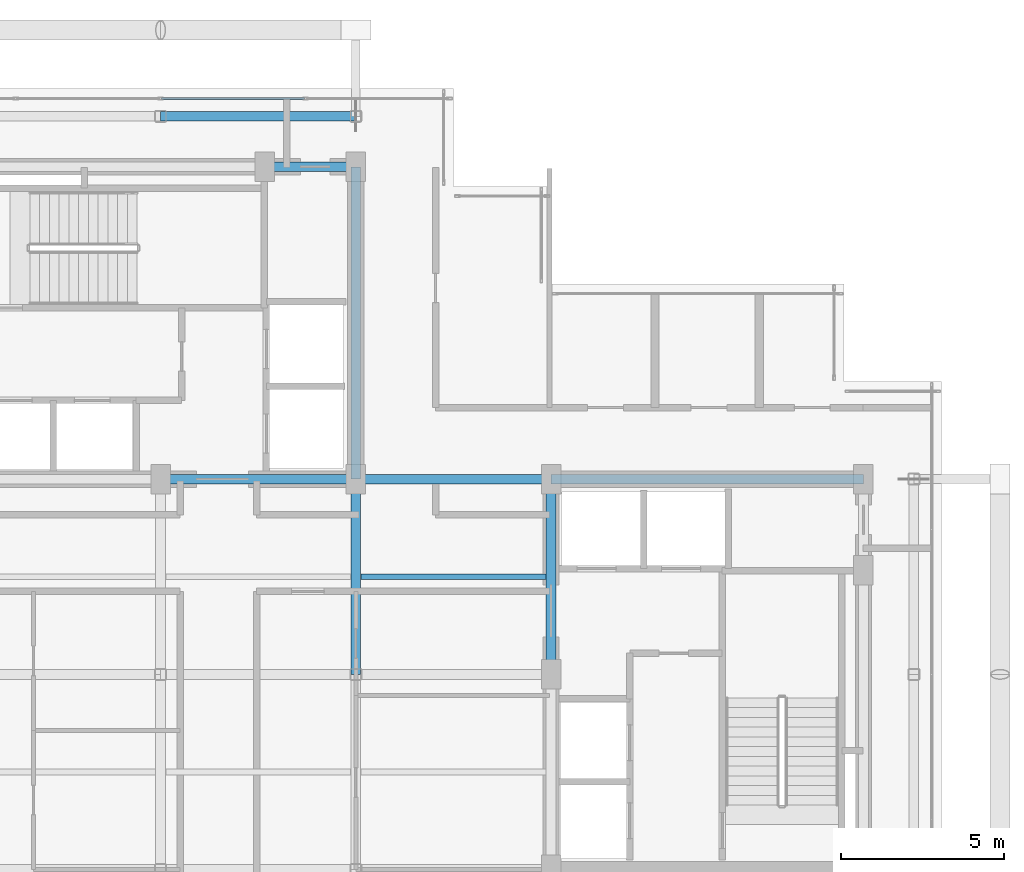
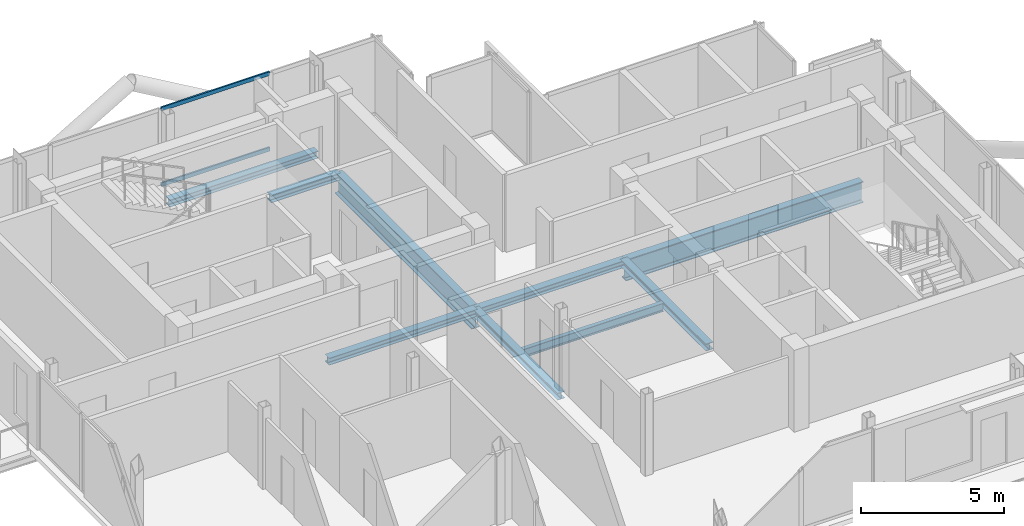
# One storey, part 10 of 19: 9 beams, 2 members, 1 element without a shape of its own.
"""IFC4 building model written with IfcOpenShell, lengths in metres."""

from ifc_helpers import new_model, si_unit, direction, frame, origin, origin_2d, place, context, subcontext, project, spatial, hollow_rectangle, i_section, extrude, material, layer, layer_set, material_profile, profile_set, type_object, element, aggregate, save


model = new_model("IFC4")

# Units and contexts
model_context = context("Model", 3, precision=1e-05, world=origin(), true_north=direction((0.0, 1.0)))
body_context = subcontext(model_context, "Body", "Model", "MODEL_VIEW")
ifc_project = project(units=[si_unit("LENGTHUNIT", "METRE"), si_unit("AREAUNIT", "SQUARE_METRE"), si_unit("VOLUMEUNIT", "CUBIC_METRE"), si_unit("PLANEANGLEUNIT", "RADIAN"), si_unit("MASSUNIT", "GRAM", prefix="KILO"), si_unit("THERMODYNAMICTEMPERATUREUNIT", "KELVIN"), si_unit("POWERUNIT", "WATT")], contexts=[model_context])

# Site, building, storey
site_placement = place(None, origin())
site = spatial("IfcSite", under=ifc_project, at=site_placement, CompositionType="ELEMENT")
building_placement = place(site_placement, origin())
building = spatial("IfcBuilding", under=site, at=building_placement, Name="Svarakhadi Broadcast Tower", CompositionType="ELEMENT")
storey_placement = place(building_placement, frame((0.0, 0.0, 243.199951171875)))
storey = spatial("IfcBuildingStorey", under=building, at=storey_placement, Name="L60", CompositionType="ELEMENT", Elevation=243.199951171875)

# Beam
ifc_material_1 = material(Name="Steel S355J2 (IS 2062 E350C)", Category="steel")
ifc_material_profile_1 = material_profile(ifc_material_1, i_section(OverallWidth=0.169921875, OverallDepth=0.360107421875, WebThickness=0.008056640625, FlangeThickness=0.0126953125, FilletRadius=0.01806640625, at=origin_2d()), Name="NPB 360x170x57")
ifc_profile_set_1 = profile_set([ifc_material_profile_1], Name="Steel S355J2 (IS 2062 E350C)")
beam_type_1 = type_object("IfcBeamType", Name="Beam_NPB360", PredefinedType="BEAM", material=ifc_profile_set_1)
beam_1_placement = place(storey_placement, frame((18.159912109375, 15.0, -0.3798828125), z_axis=(1.0, 0.0, 0.0), x_axis=(0.0, 1.0, 0.0)))
element("IfcBeam", 1, at=beam_1_placement, inside=storey, type_object=beam_type_1, Name="L60 Secondary Composite Beam SB012", PredefinedType="BEAM", context=body_context, shape_type="SweptSolid", body=[
    extrude(i_section(OverallWidth=0.169921875, OverallDepth=0.360107421875, WebThickness=0.008056640625, FlangeThickness=0.0126953125, FilletRadius=0.01806640625, at=origin_2d()), origin(), (0.0, 0.0, 1.0), 5.68017578125),
])

# Curtain wall, members
ifc_material_2 = material(Name="Anodised Bronze Aluminium AA 6063-T6", Category="aluminium")
ifc_layer = layer(ifc_material_2, 0.179931640625)
ifc_layer_set = layer_set([ifc_layer], Name="Anodised Bronze Aluminium AA 6063-T6")
curtain_wall_type = type_object("IfcCurtainWallType", Name="CW_Sys_05", PredefinedType="NOTDEFINED", material=ifc_layer_set)
curtain_wall_placement = place(storey_placement, origin())
curtain_wall = element("IfcCurtainWall", 2, at=curtain_wall_placement, inside=storey, type_object=curtain_wall_type, Name="L60 Unitised Facade Curtain Wall 05", PredefinedType="NOTDEFINED")
ifc_material_profile_2 = material_profile(ifc_material_2, hollow_rectangle(XDim=0.06494140625, YDim=0.1650390625, WallThickness=0.0048828125, at=origin_2d()), Name="ALU TRANSOM 165x65x5")
ifc_profile_set_2 = profile_set([ifc_material_profile_2], Name="Anodised Bronze Aluminium AA 6063-T6")
member_type = type_object("IfcMemberType", Name="CW_Sys_05_Trn", PredefinedType="USERDEFINED", material=ifc_profile_set_2)
member_1_placement = place(storey_placement, frame((12.034912109375, 29.699951171875, 0.032470703125), z_axis=(1.0, 0.0, 0.0), x_axis=(0.0, 1.0, 0.0)))
member_1 = element("IfcMember", 3, at=member_1_placement, type_object=member_type, Name="CW-05 transom 3.1", ObjectType="TRANSOM", PredefinedType="USERDEFINED", context=body_context, shape_type="SweptSolid", body=[
    extrude(hollow_rectangle(XDim=0.06494140625, YDim=0.1650390625, WallThickness=0.0048828125, at=origin_2d()), origin(), (0.0, 0.0, 1.0), 4.385009765625),
])
member_2_placement = place(storey_placement, frame((12.034912109375, 29.699951171875, 3.267578125), z_axis=(1.0, 0.0, 0.0), x_axis=(0.0, 1.0, 0.0)))
member_2 = element("IfcMember", 4, at=member_2_placement, type_object=member_type, Name="CW-05 transom 3.2", ObjectType="TRANSOM", PredefinedType="USERDEFINED", context=body_context, shape_type="SweptSolid", body=[
    extrude(hollow_rectangle(XDim=0.06494140625, YDim=0.1650390625, WallThickness=0.0048828125, at=origin_2d()), origin(), (0.0, 0.0, 1.0), 4.385009765625),
])
aggregate(curtain_wall, [member_1, member_2])

# Beams
ifc_material_profile_3 = material_profile(ifc_material_1, i_section(OverallWidth=0.300048828125, OverallDepth=0.300048828125, WebThickness=0.010986328125, FlangeThickness=0.01904296875, FilletRadius=0.027099609375, at=origin_2d()), Name="WPB 300x300x117")
ifc_profile_set_3 = profile_set([ifc_material_profile_3], Name="Steel S355J2 (IS 2062 E350C)")
beam_type_2 = type_object("IfcBeamType", Name="Girder_WPB300", PredefinedType="USERDEFINED", material=ifc_profile_set_3)
for number, where, z_axis, x_axis, name in (
    (5, (12.0, 18.0, -0.349853515625), (1.0, 0.0, 0.0), (0.0, 1.0, 0.0), "L60 Primary E-W Girder G019"),
    (6, (18.0, 18.0, -0.349853515625), (1.0, 0.0, 0.0), (0.0, 1.0, 0.0), "L60 Primary E-W Girder G020"),
):
    element("IfcBeam", number, at=place(storey_placement, frame(where, z_axis=z_axis, x_axis=x_axis)), inside=storey, type_object=beam_type_2, Name=name, ObjectType="GIRDER", PredefinedType="USERDEFINED", context=body_context, shape_type="SweptSolid", body=[
        extrude(i_section(OverallWidth=0.300048828125, OverallDepth=0.300048828125, WebThickness=0.010986328125, FlangeThickness=0.01904296875, FilletRadius=0.027099609375, at=origin_2d()), origin(), (0.0, 0.0, 1.0), 6.0),
    ])
beam_2_placement = place(storey_placement, frame((15.199951171875, 27.60009765625, -0.349853515625), z_axis=(1.0, 0.0, 0.0), x_axis=(0.0, 1.0, 0.0)))
element("IfcBeam", 7, at=beam_2_placement, inside=storey, type_object=beam_type_2, Name="L60 Primary E-W Girder G023", ObjectType="GIRDER", PredefinedType="USERDEFINED", context=body_context, shape_type="SweptSolid", body=[
    extrude(i_section(OverallWidth=0.300048828125, OverallDepth=0.300048828125, WebThickness=0.010986328125, FlangeThickness=0.01904296875, FilletRadius=0.027099609375, at=origin_2d()), origin(), (0.0, 0.0, 1.0), 2.800048828125),
])
for number, where, z_axis, x_axis, name in (
    (8, (12.0, 29.14990234375, -0.349853515625), (1.0, 0.0, 0.0), (0.0, 1.0, 0.0), "L60 Primary E-W Girder G025"),
    (9, (18.0, 12.0, -0.349853515625), (0.0, 1.0, 0.0), (-1.0, 0.0, 0.0), "L60 Primary N-S Girder G038"),
    (10, (24.0, 12.0, -0.349853515625), (0.0, 1.0, 0.0), (-1.0, 0.0, 0.0), "L60 Primary N-S Girder G042"),
):
    element("IfcBeam", number, at=place(storey_placement, frame(where, z_axis=z_axis, x_axis=x_axis)), inside=storey, type_object=beam_type_2, Name=name, ObjectType="GIRDER", PredefinedType="USERDEFINED", context=body_context, shape_type="SweptSolid", body=[
        extrude(i_section(OverallWidth=0.300048828125, OverallDepth=0.300048828125, WebThickness=0.010986328125, FlangeThickness=0.01904296875, FilletRadius=0.027099609375, at=origin_2d()), origin(), (0.0, 0.0, 1.0), 6.0),
    ])
ifc_material_3 = material(Name="Steel S460ML (IS 2062 E450BR)", Category="steel")
ifc_material_profile_4 = material_profile(ifc_material_3, i_section(OverallWidth=0.300048828125, OverallDepth=0.89990234375, WebThickness=0.0185546875, FlangeThickness=0.034912109375, FilletRadius=0.030029296875, at=origin_2d()), Name="WPB 900x300x291")
ifc_profile_set_4 = profile_set([ifc_material_profile_4], Name="Steel S460ML (IS 2062 E450BR)")
beam_type_3 = type_object("IfcBeamType", Name="Girder_WPB900", PredefinedType="USERDEFINED", material=ifc_profile_set_4)
for number, where, z_axis, x_axis, name in (
    (11, (24.0, 18.0, -0.64990234375), (1.0, 0.0, 0.0), (0.0, 1.0, 0.0), "L60 Primary E-W Girder G021"),
    (12, (18.0, 18.0, -0.64990234375), (0.0, 1.0, 0.0), (-1.0, 0.0, 0.0), "L60 Primary N-S Girder G039"),
):
    element("IfcBeam", number, at=place(storey_placement, frame(where, z_axis=z_axis, x_axis=x_axis)), inside=storey, type_object=beam_type_3, Name=name, ObjectType="GIRDER", PredefinedType="USERDEFINED", context=body_context, shape_type="SweptSolid", body=[
        extrude(i_section(OverallWidth=0.300048828125, OverallDepth=0.89990234375, WebThickness=0.0185546875, FlangeThickness=0.034912109375, FilletRadius=0.030029296875, at=origin_2d()), origin(), (0.0, 0.0, 1.0), 9.60009765625),
    ])

save(model, "model.ifc")
